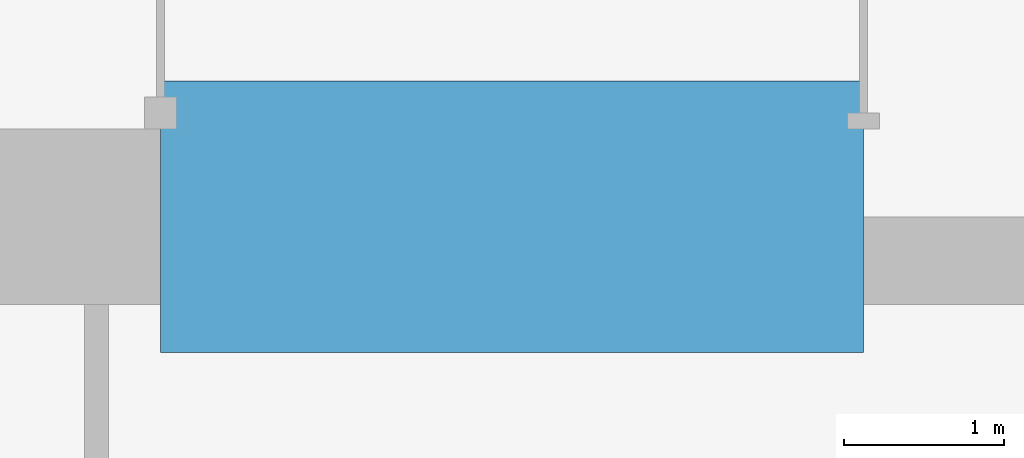
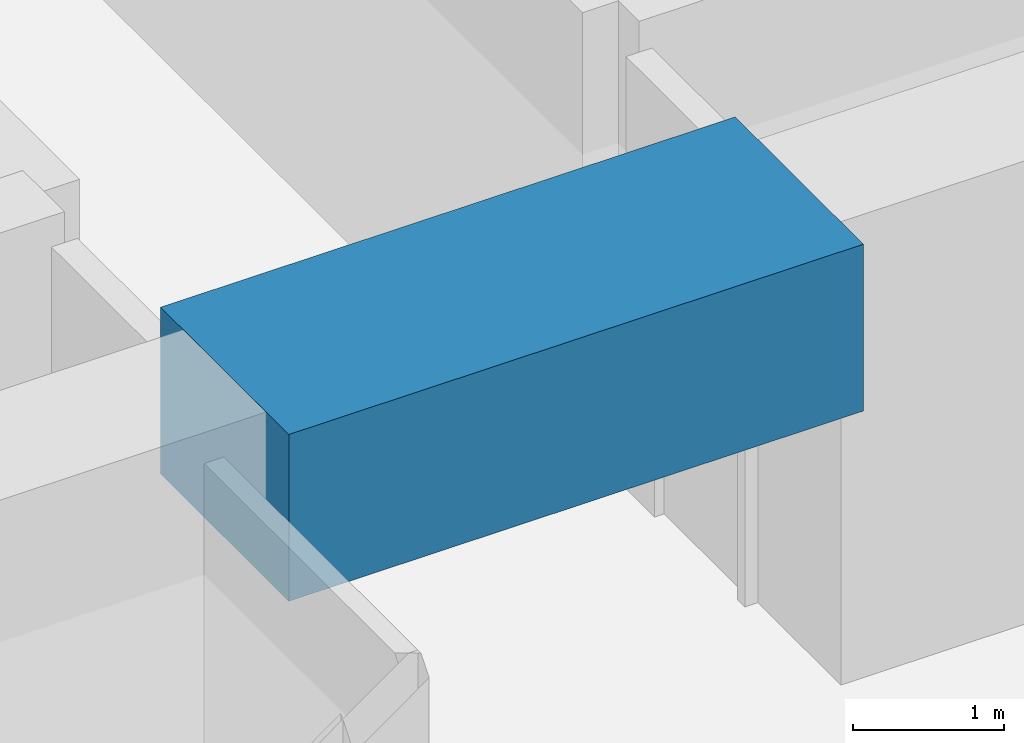
# One storey, part 13 of 44: 1 beam.
"""IFC4 building model written with IfcOpenShell, lengths in metres."""

from ifc_helpers import new_model, si_unit, direction, frame, origin, origin_2d, place, context, subcontext, project, spatial, rectangle, extrude, material, material_profile, profile_set, type_object, element, save


model = new_model("IFC4")

# Units and contexts
model_context = context("Model", 3, precision=1e-05, world=origin(), true_north=direction((0.0, 1.0)))
body_context = subcontext(model_context, "Body", "Model", "MODEL_VIEW")
ifc_project = project(units=[si_unit("LENGTHUNIT", "METRE"), si_unit("AREAUNIT", "SQUARE_METRE"), si_unit("VOLUMEUNIT", "CUBIC_METRE"), si_unit("PLANEANGLEUNIT", "RADIAN"), si_unit("MASSUNIT", "GRAM", prefix="KILO")], contexts=[model_context])

# Site, building, storey
site_placement = place(None, origin())
site = spatial("IfcSite", under=ifc_project, at=site_placement, CompositionType="ELEMENT")
building_placement = place(site_placement, origin())
building = spatial("IfcBuilding", under=site, at=building_placement, Name="Rekha Terrace Tower", CompositionType="ELEMENT")
storey_placement = place(building_placement, frame((0.0, 0.0, 62.89990234375)))
storey = spatial("IfcBuildingStorey", under=building, at=storey_placement, Name="L15", CompositionType="ELEMENT", Elevation=62.89990234375)

# Beam
ifc_material = material(Name="Concrete M70", Category="concrete")
ifc_material_profile = material_profile(ifc_material, rectangle(XDim=1.699951171875, YDim=1.35009765625, at=origin_2d()), Name="RC 1700x1350")
ifc_profile_set = profile_set([ifc_material_profile], Name="Concrete M70")
beam_type = type_object("IfcBeamType", Name="LB1A 1700x1350 diagonally reinforced coupling beam", PredefinedType="LINTEL", material=ifc_profile_set)
beam_placement = place(storey_placement, frame((35.60009765625, 21.0, 3.0751953125), z_axis=(1.0, 0.0, 0.0), x_axis=(0.0, 1.0, 0.0)))
element("IfcBeam", 1, at=beam_placement, inside=storey, type_object=beam_type, Name="Coupling beam LB1A S L15", PredefinedType="LINTEL", context=body_context, shape_type="SweptSolid", body=[
    extrude(rectangle(XDim=1.699951171875, YDim=1.35009765625, at=origin_2d()), origin(), (0.0, 0.0, 1.0), 4.39990234375),
])

save(model, "model.ifc")
